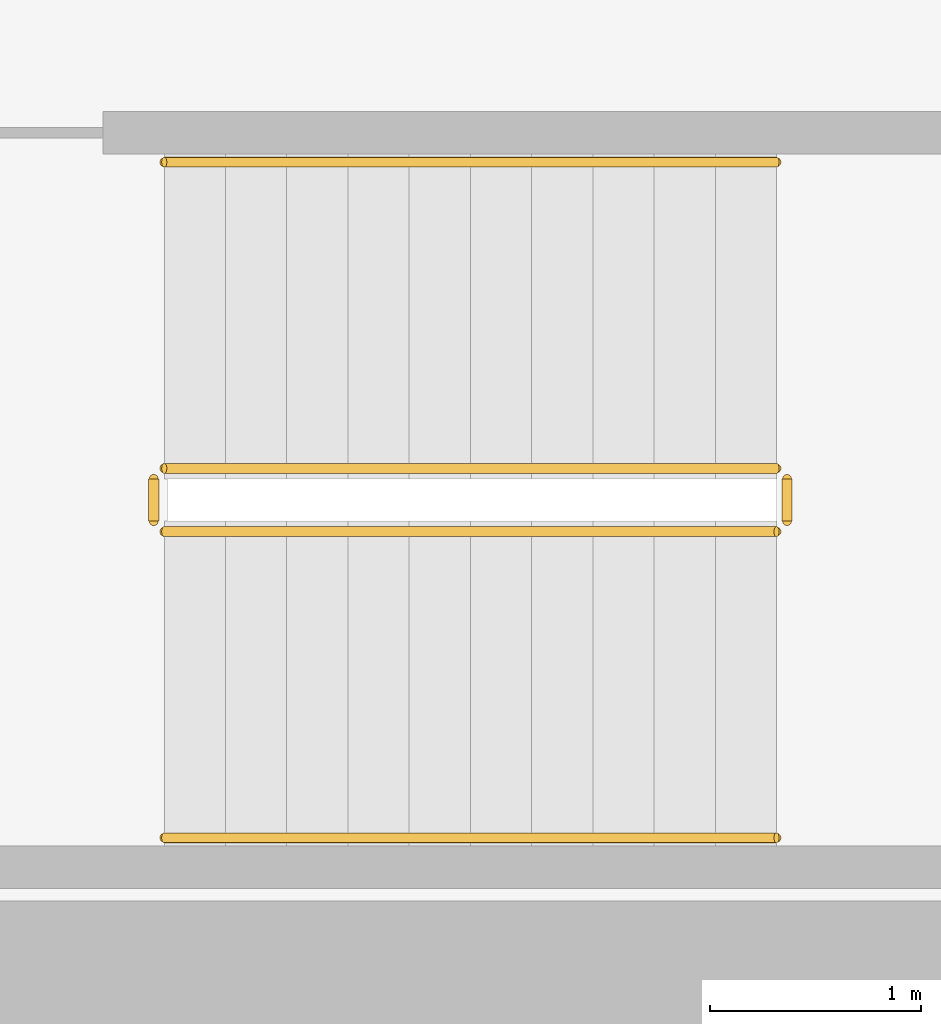
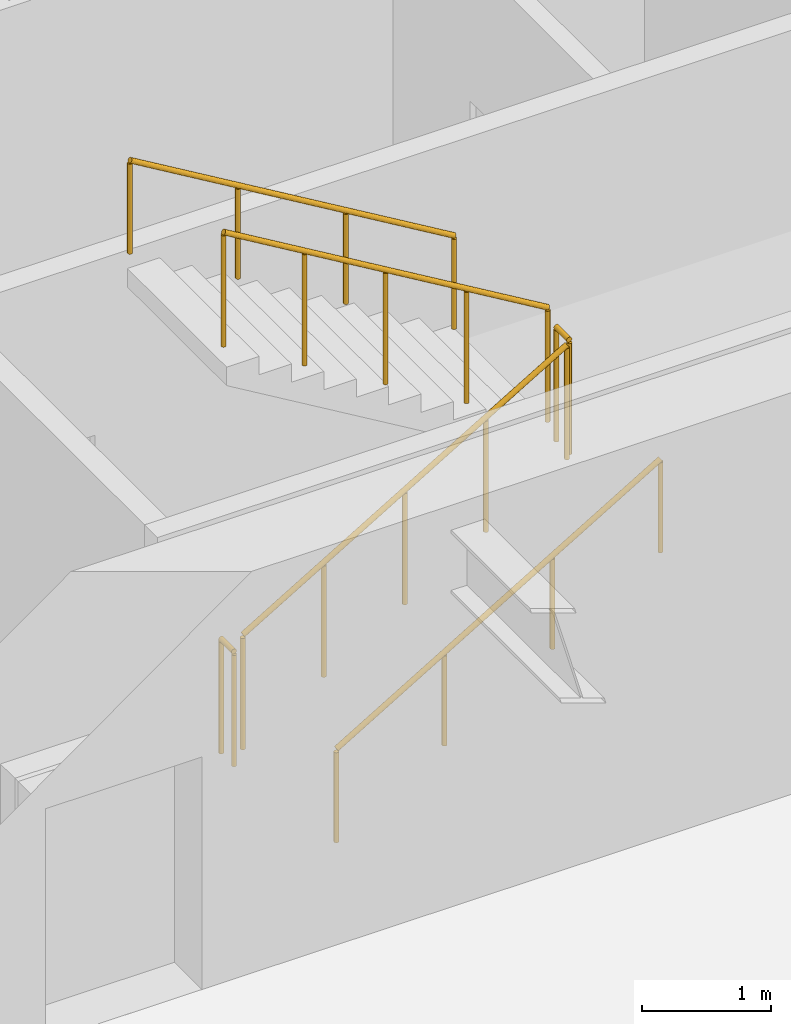
# One storey, part 19 of 20: 6 railings.
"""IFC4 building model written with IfcOpenShell, lengths in metres."""

from ifc_helpers import new_model, si_unit, direction, frame, origin, origin_2d, place, context, subcontext, project, spatial, circle, extrude, material, type_object, element, save


model = new_model("IFC4")

# Units and contexts
model_context = context("Model", 3, precision=1e-05, world=origin(), true_north=direction((0.0, 1.0)))
body_context = subcontext(model_context, "Body", "Model", "MODEL_VIEW")
ifc_project = project(units=[si_unit("LENGTHUNIT", "METRE"), si_unit("AREAUNIT", "SQUARE_METRE"), si_unit("VOLUMEUNIT", "CUBIC_METRE"), si_unit("PLANEANGLEUNIT", "RADIAN"), si_unit("MASSUNIT", "GRAM", prefix="KILO")], contexts=[model_context])

# Site, building, storey
site_placement = place(None, origin())
site = spatial("IfcSite", under=ifc_project, at=site_placement, CompositionType="ELEMENT")
building_placement = place(site_placement, origin())
building = spatial("IfcBuilding", under=site, at=building_placement, Name="Putna Gate Headquarters", CompositionType="ELEMENT")
storey_placement = place(building_placement, frame((0.0, 0.0, 127.800048828125)))
storey = spatial("IfcBuildingStorey", under=building, at=storey_placement, Name="L31", CompositionType="ELEMENT", Elevation=127.800048828125)

# Railings
ifc_material_1 = material(Name="Powder-coated steel stair guardrail", Category="steel")
railing_type_1 = type_object("IfcRailingType", Name="RAIL-STAIR-GUARD-1100", PredefinedType="GUARDRAIL", material=ifc_material_1)
railing_1_placement = place(storey_placement, frame((57.89990234375, 21.10009765625, 0.172607421875)))
element("IfcRailing", 1, at=railing_1_placement, inside=storey, type_object=railing_type_1, Name="L31 ST2 stair guard 1", PredefinedType="GUARDRAIL", context=body_context, shape_type="SweptSolid", body=[
    extrude(circle(Radius=0.02392578125, at=origin_2d()), frame((0.0, 0.0, 1.076171875), z_axis=(0.859160404282, 0.0, 0.51170636083), x_axis=(0.0, 1.0, 0.0)), (0.0, 0.0, 1.0), 3.37548828125),
    extrude(circle(Radius=0.02099609375, at=origin_2d()), origin(), (0.0, 0.0, 1.0), 1.052001953125),
    extrude(circle(Radius=0.02099609375, at=origin_2d()), frame((0.72509765625, 0.0, 0.431884765625)), (0.0, 0.0, 1.0), 1.052001953125),
    extrude(circle(Radius=0.02099609375, at=origin_2d()), frame((1.4501953125, 0.0, 0.86376953125)), (0.0, 0.0, 1.0), 1.052001953125),
    extrude(circle(Radius=0.02099609375, at=origin_2d()), frame((2.175048828125, 0.0, 1.29541015625)), (0.0, 0.0, 1.0), 1.052001953125),
    extrude(circle(Radius=0.02099609375, at=origin_2d()), frame((2.900146484375, 0.0, 1.727294921875)), (0.0, 0.0, 1.0), 1.052001953125),
])
railing_2_placement = place(storey_placement, frame((60.85009765625, 21.14990234375, 1.89990234375)))
element("IfcRailing", 2, at=railing_2_placement, inside=storey, type_object=railing_type_1, Name="L31 ST2 stair guard 2", PredefinedType="GUARDRAIL", context=body_context, shape_type="SweptSolid", body=[
    extrude(circle(Radius=0.02392578125, at=origin_2d()), frame((0.0, 0.0, 1.076171875), z_axis=(0.0, 1.0, 0.0), x_axis=(-1.0, 0.0, 0.0)), (0.0, 0.0, 1.0), 0.2001953125),
    extrude(circle(Radius=0.02099609375, at=origin_2d()), origin(), (0.0, 0.0, 1.0), 1.052001953125),
    extrude(circle(Radius=0.02099609375, at=origin_2d()), frame((0.0, 0.2001953125, 0.0)), (0.0, 0.0, 1.0), 1.052001953125),
])
railing_3_placement = place(storey_placement, frame((60.800048828125, 21.39990234375, 2.07275390625)))
element("IfcRailing", 3, at=railing_3_placement, inside=storey, type_object=railing_type_1, Name="L31 ST2 stair guard 3", PredefinedType="GUARDRAIL", context=body_context, shape_type="SweptSolid", body=[
    extrude(circle(Radius=0.02392578125, at=origin_2d()), frame((0.0, 0.0, 1.076171875), z_axis=(-0.859160404282, 0.0, 0.51170636083), x_axis=(0.0, -1.0, 0.0)), (0.0, 0.0, 1.0), 3.37548828125),
    extrude(circle(Radius=0.02099609375, at=origin_2d()), origin(), (0.0, 0.0, 1.0), 1.052001953125),
    extrude(circle(Radius=0.02099609375, at=origin_2d()), frame((-0.72509765625, 0.0, 0.431884765625)), (0.0, 0.0, 1.0), 1.052001953125),
    extrude(circle(Radius=0.02099609375, at=origin_2d()), frame((-1.4501953125, 0.0, 0.86376953125)), (0.0, 0.0, 1.0), 1.052001953125),
    extrude(circle(Radius=0.02099609375, at=origin_2d()), frame((-2.175048828125, 0.0, 1.29541015625)), (0.0, 0.0, 1.0), 1.052001953125),
    extrude(circle(Radius=0.02099609375, at=origin_2d()), frame((-2.900146484375, 0.0, 1.727294921875)), (0.0, 0.0, 1.0), 1.052001953125),
])
railing_4_placement = place(storey_placement, frame((57.85009765625, 21.14990234375, 0.0)))
element("IfcRailing", 4, at=railing_4_placement, inside=storey, type_object=railing_type_1, Name="L31 ST2 stair guard 4", PredefinedType="GUARDRAIL", context=body_context, shape_type="SweptSolid", body=[
    extrude(circle(Radius=0.02392578125, at=origin_2d()), frame((0.0, 0.0, 1.076171875), z_axis=(0.0, 1.0, 0.0), x_axis=(-1.0, 0.0, 0.0)), (0.0, 0.0, 1.0), 0.2001953125),
    extrude(circle(Radius=0.02099609375, at=origin_2d()), origin(), (0.0, 0.0, 1.0), 1.052001953125),
    extrude(circle(Radius=0.02099609375, at=origin_2d()), frame((0.0, 0.2001953125, 0.0)), (0.0, 0.0, 1.0), 1.052001953125),
])
ifc_material_2 = material(Name="Brushed stainless steel handrail", Category="steel")
railing_type_2 = type_object("IfcRailingType", Name="RAIL-STAIR-HAND-900", PredefinedType="HANDRAIL", material=ifc_material_2)
railing_5_placement = place(storey_placement, frame((57.89990234375, 19.64990234375, 0.172607421875)))
element("IfcRailing", 5, at=railing_5_placement, inside=storey, type_object=railing_type_2, Name="L31 ST2 stair handrail 1", PredefinedType="HANDRAIL", context=body_context, shape_type="SweptSolid", body=[
    extrude(circle(Radius=0.02392578125, at=origin_2d()), frame((0.0, 0.0, 0.8759765625), z_axis=(0.859160404282, 0.0, 0.51170636083), x_axis=(0.0, 1.0, 0.0)), (0.0, 0.0, 1.0), 3.37548828125),
    extrude(circle(Radius=0.02099609375, at=origin_2d()), origin(), (0.0, 0.0, 1.0), 0.851806640625),
    extrude(circle(Radius=0.02099609375, at=origin_2d()), frame((0.966796875, 0.0, 0.57568359375)), (0.0, 0.0, 1.0), 0.851806640625),
    extrude(circle(Radius=0.02099609375, at=origin_2d()), frame((1.933349609375, 0.0, 1.151611328125)), (0.0, 0.0, 1.0), 0.851806640625),
    extrude(circle(Radius=0.02099609375, at=origin_2d()), frame((2.900146484375, 0.0, 1.727294921875)), (0.0, 0.0, 1.0), 0.851806640625),
])
railing_6_placement = place(storey_placement, frame((60.800048828125, 22.85009765625, 2.07275390625)))
element("IfcRailing", 6, at=railing_6_placement, inside=storey, type_object=railing_type_2, Name="L31 ST2 stair handrail 2", PredefinedType="HANDRAIL", context=body_context, shape_type="SweptSolid", body=[
    extrude(circle(Radius=0.02392578125, at=origin_2d()), frame((0.0, 0.0, 0.8759765625), z_axis=(-0.859160404282, 0.0, 0.51170636083), x_axis=(0.0, -1.0, 0.0)), (0.0, 0.0, 1.0), 3.37548828125),
    extrude(circle(Radius=0.02099609375, at=origin_2d()), origin(), (0.0, 0.0, 1.0), 0.851806640625),
    extrude(circle(Radius=0.02099609375, at=origin_2d()), frame((-0.966796875, 0.0, 0.57568359375)), (0.0, 0.0, 1.0), 0.851806640625),
    extrude(circle(Radius=0.02099609375, at=origin_2d()), frame((-1.933349609375, 0.0, 1.151611328125)), (0.0, 0.0, 1.0), 0.851806640625),
    extrude(circle(Radius=0.02099609375, at=origin_2d()), frame((-2.900146484375, 0.0, 1.727294921875)), (0.0, 0.0, 1.0), 0.851806640625),
])

save(model, "model.ifc")
